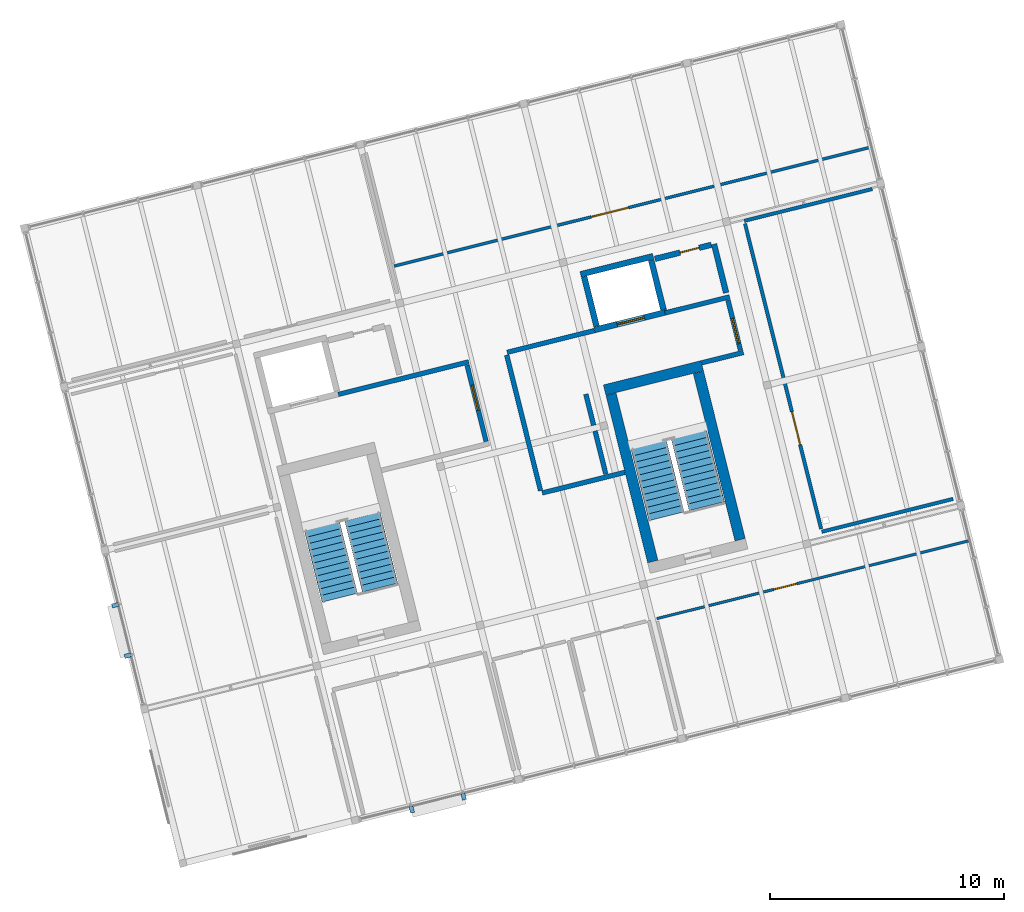
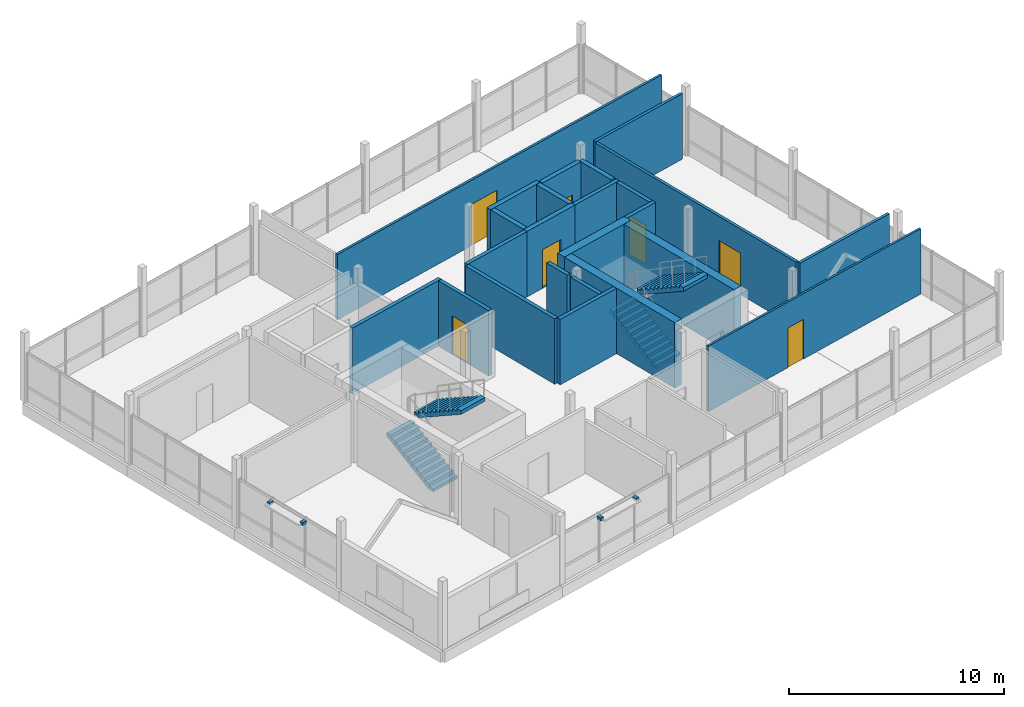
# One storey, part 24 of 25: 24 walls, 7 doors, 4 discrete accessories, 4 stair flights, 7 openings, 2 elements without a shape of their own.
"""IFC4 building model written with IfcOpenShell, lengths in metres."""

import ifcopenshell
import ifcopenshell.guid

model = None  # the IFC model being written
_history = None  # IfcOwnerHistory: only IFC2X3 demands one
_inside = {}  # id of a spatial element -> (the spatial element, [elements in it])
_under = {}  # id of a project, library or spatial element -> (it, [spatial elements below it])
_declared = {}  # id of a project -> (the project, [libraries it declares])
_typed = {}  # id of a type object -> (the type object, [elements of that type])
_made_of = {}  # id of a material, layer set ... -> (it, [elements and type objects made of it])


def new_model(schema):
    """Start an empty IFC model of exactly this schema.

    Asked for "IFC4X3", IfcOpenShell would pick the latest addendum, in which some entities
    have other attributes; the version numbers below select the first issue.
    IFC2X3 requires an IfcOwnerHistory on every rooted entity: one is made here for all.
    """
    global model, _history
    if schema == "IFC4X3":
        model = ifcopenshell.file(schema_version=(4, 3, 0, 0))
    else:
        model = ifcopenshell.file(schema=schema)
    _inside.clear()
    _under.clear()
    _declared.clear()
    _typed.clear()
    _made_of.clear()
    _history = None
    if model.schema == "IFC2X3":
        org = make("IfcOrganization", Name="unknown")
        user = make(
            "IfcPersonAndOrganization",
            ThePerson=make("IfcPerson", FamilyName="unknown"),
            TheOrganization=org,
        )
        app = make(
            "IfcApplication",
            ApplicationDeveloper=org,
            Version="unknown",
            ApplicationFullName="unknown",
            ApplicationIdentifier="unknown",
        )
        _history = make(
            "IfcOwnerHistory",
            OwningUser=user,
            OwningApplication=app,
            ChangeAction="ADDED",
            CreationDate=0,
        )
    return model


def make(cls, **values):
    """One entity of the class cls with the attributes given. An attribute that is None is left unset."""
    return model.create_entity(
        cls, **{name: value for name, value in values.items() if value is not None}
    )


def rooted(cls, **values):
    """An entity with a GlobalId (a new one), such as an element, a storey or a relation."""
    return make(cls, GlobalId=ifcopenshell.guid.new(), OwnerHistory=_history, **values)


def si_unit(unit_type, name, prefix=None):
    """IfcSIUnit, for example si_unit("LENGTHUNIT", "METRE", prefix="MILLI")."""
    return make("IfcSIUnit", UnitType=unit_type, Prefix=prefix, Name=name)


def assignment(units):
    """IfcUnitAssignment: the units of a project."""
    return None if units is None else make("IfcUnitAssignment", Units=units)


def point(xyz):
    """IfcCartesianPoint."""
    return None if xyz is None else make("IfcCartesianPoint", Coordinates=xyz)


def direction(xyz):
    """IfcDirection."""
    return None if xyz is None else make("IfcDirection", DirectionRatios=xyz)


def frame(location, z_axis=None, x_axis=None):
    """IfcAxis2Placement3D, a coordinate frame: its origin and axes. An axis left out is left unset."""
    return make(
        "IfcAxis2Placement3D",
        Location=point(location),
        Axis=direction(z_axis),
        RefDirection=direction(x_axis),
    )


def frame_2d(location, x_axis=None):
    """IfcAxis2Placement2D, a coordinate frame in the plane: its origin and x axis."""
    return make(
        "IfcAxis2Placement2D", Location=point(location), RefDirection=direction(x_axis)
    )


def origin():
    """The frame at (0, 0, 0) with its axes left unset."""
    return frame((0.0, 0.0, 0.0))


def origin_2d():
    """The frame at (0, 0) in the plane with its x axis left unset."""
    return frame_2d((0.0, 0.0))


def place(relative_to, where):
    """IfcLocalPlacement: puts the frame where relative to a parent placement (None: the world)."""
    return make(
        "IfcLocalPlacement", PlacementRelTo=relative_to, RelativePlacement=where
    )


def context(
    kind, dimensions, precision=None, world=None, true_north=None, identifier=None
):
    """IfcGeometricRepresentationContext, for example the 3D "Model" context."""
    return make(
        "IfcGeometricRepresentationContext",
        ContextIdentifier=identifier,
        ContextType=kind,
        CoordinateSpaceDimension=dimensions,
        Precision=precision,
        WorldCoordinateSystem=world,
        TrueNorth=true_north,
    )


def subcontext(parent, identifier, kind, view, scale=None):
    """IfcGeometricRepresentationSubContext, for example "Body" below "Model"."""
    return make(
        "IfcGeometricRepresentationSubContext",
        ContextIdentifier=identifier,
        ContextType=kind,
        ParentContext=parent,
        TargetScale=scale,
        TargetView=view,
    )


def project(units=None, contexts=None):
    """IfcProject with its units and contexts."""
    return rooted(
        "IfcProject",
        Name="project",
        RepresentationContexts=contexts,
        UnitsInContext=assignment(units),
    )


def spatial(cls, under=None, at=None, **own):
    """A site, building, storey or space (cls), placed at a placement, below another one or the project."""
    s = rooted(cls, ObjectPlacement=at, **own)
    if under is not None:
        _under.setdefault(under.id(), (under, []))[1].append(s)
    return s


def polyline(points):
    """IfcPolyline through the points."""
    return make("IfcPolyline", Points=[point(p) for p in points])


def profile(cls, at=None, kind="AREA", **sizes):
    """A parametric profile (cls). Its sizes go by their IFC names, for example OverallWidth=200.0."""
    return make(cls, ProfileType=kind, Position=at, **sizes)


def rectangle(**sizes):
    """IfcRectangleProfileDef."""
    return profile("IfcRectangleProfileDef", **sizes)


def outline(outer, holes=None, kind="AREA"):
    """IfcArbitraryClosedProfileDef: a profile drawn as a closed curve; with holes, ...WithVoids."""
    if holes is None:
        return make("IfcArbitraryClosedProfileDef", ProfileType=kind, OuterCurve=outer)
    return make(
        "IfcArbitraryProfileDefWithVoids",
        ProfileType=kind,
        OuterCurve=outer,
        InnerCurves=holes,
    )


def extrude(swept, where, along, depth):
    """IfcExtrudedAreaSolid: the profile swept, set in the frame where, extruded along a direction by depth."""
    return make(
        "IfcExtrudedAreaSolid",
        SweptArea=swept,
        Position=where,
        ExtrudedDirection=direction(along),
        Depth=depth,
    )


def shape(context_of_items, identifier, shape_type, items):
    """IfcShapeRepresentation: the items that make up one representation, for example the "Body"."""
    return make(
        "IfcShapeRepresentation",
        ContextOfItems=context_of_items,
        RepresentationIdentifier=identifier,
        RepresentationType=shape_type,
        Items=items,
    )


def material(Name=None, Category=None):
    """IfcMaterial."""
    return make("IfcMaterial", Name=Name, Category=Category)


def layer(
    of_material, thickness, ventilated=None, Name=None, Category=None, Priority=None
):
    """IfcMaterialLayer: one layer of a wall or slab, of a material (None: an air gap)."""
    return make(
        "IfcMaterialLayer",
        Material=of_material,
        LayerThickness=thickness,
        IsVentilated=ventilated,
        Name=Name,
        Category=Category,
        Priority=Priority,
    )


def layer_set(layers, Name=None):
    """IfcMaterialLayerSet."""
    return make("IfcMaterialLayerSet", MaterialLayers=layers, LayerSetName=Name)


def made_of(thing, what):
    """Note that an element or type object is made of a material, layer set ...; save() writes the relation."""
    if what is not None:
        _made_of.setdefault(what.id(), (what, []))[1].append(thing)
    return thing


def type_object(cls, material=None, **own):
    """A type object (cls), such as IfcWallType, which elements share."""
    return made_of(rooted(cls, **own), material)


def element(
    cls,
    number,
    at=None,
    inside=None,
    cuts=None,
    type_object=None,
    material=None,
    context=None,
    identifier="Body",
    shape_type=None,
    held_by="IfcProductDefinitionShape",
    body=None,
    shapes=None,
    **own,
):
    """One element of the class cls, such as IfcWall. Its Tag is "e" and its number.

    at: its placement. inside: the storey or other place that contains it. cuts: it is an
    opening in that element (IfcRelVoidsElement). A single representation is given by context,
    identifier, shape_type and body (its items); several are given by shapes. held_by: the class
    of the entity that holds the representations. save() writes the other relations.
    """
    e = rooted(cls, Tag="e%d" % number, ObjectPlacement=at, **own)
    if body is not None:
        shapes = [shape(context, identifier, shape_type, body)]
    if shapes is not None:
        e.Representation = make(held_by, Representations=shapes)
    if inside is not None:
        _inside.setdefault(inside.id(), (inside, []))[1].append(e)
    if cuts is not None:
        rooted(
            "IfcRelVoidsElement", RelatingBuildingElement=cuts, RelatedOpeningElement=e
        )
    if type_object is not None:
        _typed.setdefault(type_object.id(), (type_object, []))[1].append(e)
    return made_of(e, material)


def fill(opening, filler):
    """IfcRelFillsElement: the door or window that sits in an opening."""
    return rooted(
        "IfcRelFillsElement",
        RelatingOpeningElement=opening,
        RelatedBuildingElement=filler,
    )


def aggregate(whole, parts):
    """IfcRelAggregates: a whole, such as a stair, and the parts it consists of."""
    return rooted("IfcRelAggregates", RelatingObject=whole, RelatedObjects=parts)


def save(model, path):
    """Write the relations noted so far, then the file.

    IfcRelAggregates (storeys below a building ...), IfcRelContainedInSpatialStructure (elements
    in a storey), IfcRelDefinesByType, IfcRelAssociatesMaterial and IfcRelDeclares: one each for
    every whole, place, type object, material and project.
    """
    for whole, parts in _under.values():
        aggregate(whole, parts)
    for where, things in _inside.values():
        rooted(
            "IfcRelContainedInSpatialStructure",
            RelatedElements=things,
            RelatingStructure=where,
        )
    for kind, things in _typed.values():
        rooted("IfcRelDefinesByType", RelatedObjects=things, RelatingType=kind)
    for what, things in _made_of.values():
        rooted("IfcRelAssociatesMaterial", RelatedObjects=things, RelatingMaterial=what)
    for by, libraries in _declared.values():
        rooted("IfcRelDeclares", RelatingContext=by, RelatedDefinitions=libraries)
    model.write(path)


model = new_model("IFC4")

# Units and contexts
model_context = context("Model", 3, precision=1e-05, world=origin(), true_north=direction((0.0, 1.0)))
body_context = subcontext(model_context, "Body", "Model", "MODEL_VIEW")
ifc_project = project(units=[si_unit("LENGTHUNIT", "METRE"), si_unit("AREAUNIT", "SQUARE_METRE"), si_unit("VOLUMEUNIT", "CUBIC_METRE"), si_unit("PLANEANGLEUNIT", "RADIAN"), si_unit("MASSUNIT", "GRAM", prefix="KILO")], contexts=[model_context])

# Site, building, storey
site_placement = place(None, origin())
site = spatial("IfcSite", under=ifc_project, at=site_placement, CompositionType="ELEMENT")
building_placement = place(site_placement, origin())
building = spatial("IfcBuilding", under=site, at=building_placement, Name="Meriwether Solvik Hall", CompositionType="ELEMENT")
storey_placement = place(building_placement, frame((0.0, 0.0, 49.5)))
storey = spatial("IfcBuildingStorey", under=building, at=storey_placement, Name="L12", CompositionType="ELEMENT", Elevation=49.5)

# Wall
ifc_material_1 = material(Name="Fire-Rated Type X Gypsum Board", Category="gypsum")
ifc_layer_1 = layer(ifc_material_1, 0.199951171875)
ifc_layer_set_1 = layer_set([ifc_layer_1], Name="Fire-Rated Type X Gypsum Board")
wall_type_1 = type_object("IfcWallType", Name="WALL-FIRE-200", PredefinedType="STANDARD", material=ifc_layer_set_1)
wall_1_placement = place(storey_placement, frame((75.24609375, 61.25341796875, 0.0), z_axis=(0.0, 0.0, 1.0), x_axis=(0.970292173201, 0.24193614576, 0.0)))
element("IfcWall", 1, at=wall_1_placement, inside=storey, type_object=wall_type_1, Name="L12 Interior Partition lb1_n_cap", PredefinedType="STANDARD", context=body_context, shape_type="SweptSolid", body=[
    extrude(rectangle(XDim=5.75, YDim=0.199951171875, at=frame_2d((2.875, 0.0))), origin(), (0.0, 0.0, 1.0), 3.719970703125),
])

# Wall, opening, door
wall_2_placement = place(storey_placement, frame((80.75732421875, 62.50390625, 0.0), z_axis=(0.0, 0.0, 1.0), x_axis=(0.241885902723, -0.970304699599, 0.0)))
wall_2 = element("IfcWall", 2, at=wall_2_placement, inside=storey, type_object=wall_type_1, Name="L12 Interior Partition lb1_e", PredefinedType="STANDARD", context=body_context, shape_type="SweptSolid", body=[
    extrude(rectangle(XDim=3.360107421875, YDim=0.199951171875, at=frame_2d((1.68017578125, 0.0))), origin(), (0.0, 0.0, 1.0), 3.719970703125),
])
opening_1_placement = place(wall_2_placement, frame((0.889892578125, 0.0, 0.0)))
opening_1 = element("IfcOpeningElement", 3, at=opening_1_placement, cuts=wall_2, Name="Opening D-168", PredefinedType="OPENING", context=body_context, shape_type="SweptSolid", body=[
    extrude(rectangle(XDim=1.10009765625, YDim=2.199951171875, at=frame_2d((0.550048828125, 1.10009765625))), frame((0.0, 0.11181640625, 0.0), z_axis=(0.0, -1.0, 0.0), x_axis=(1.0, 0.0, 0.0)), (0.0, 0.0, 1.0), 0.223876953125),
])
ifc_material_2 = material(Name="Steel A36 Galvanised", Category="steel")
door_type_1 = type_object("IfcDoorType", Name="DR-FD60-1100L", OperationType="SINGLE_SWING_LEFT", PredefinedType="DOOR", material=ifc_material_2)
door_1_placement = place(opening_1_placement, origin())
door_1 = element("IfcDoor", 4, at=door_1_placement, inside=storey, type_object=door_type_1, Name="West FSAE Lift Lobby Door (L12)", OperationType="SINGLE_SWING_LEFT", OverallHeight=2.199951171875, OverallWidth=1.10009765625, PredefinedType="DOOR", context=body_context, shape_type="SweptSolid", body=[
    extrude(rectangle(XDim=1.10009765625, YDim=2.199951171875, at=frame_2d((0.550048828125, 1.10009765625))), frame((0.0, 0.02490234375, 0.0), z_axis=(0.0, -1.0, 0.0), x_axis=(1.0, 0.0, 0.0)), (0.0, 0.0, 1.0), 0.050048828125),
])
fill(opening_1, door_1)

# Walls
wall_3_placement = place(storey_placement, frame((82.452880859375, 62.93701171875, 0.0), z_axis=(0.0, 0.0, 1.0), x_axis=(0.241891967324, -0.970303187743, 0.0)))
element("IfcWall", 5, at=wall_3_placement, inside=storey, type_object=wall_type_1, Name="L12 Interior Partition lb2_w", PredefinedType="STANDARD", context=body_context, shape_type="SweptSolid", body=[
    extrude(rectangle(XDim=5.97998046875, YDim=0.199951171875, at=frame_2d((2.989990234375, 0.0))), origin(), (0.0, 0.0, 1.0), 3.719970703125),
])
wall_4_placement = place(storey_placement, frame((83.972412109375, 57.03955078125, 0.0), z_axis=(0.0, 0.0, 1.0), x_axis=(0.97030000841, 0.241904720251, 0.0)))
element("IfcWall", 6, at=wall_4_placement, inside=storey, type_object=wall_type_1, Name="L12 Interior Partition lb2_s_w", PredefinedType="STANDARD", context=body_context, shape_type="SweptSolid", body=[
    extrude(rectangle(XDim=3.642333984375, YDim=0.199951171875, at=frame_2d((1.8212890625, 0.0))), origin(), (0.0, 0.0, 1.0), 3.719970703125),
])
wall_5_placement = place(storey_placement, frame((86.691650390625, 57.841064453125, 0.0), z_axis=(0.0, 0.0, 1.0), x_axis=(-0.241992731984, 0.970278062035, 0.0)))
element("IfcWall", 7, at=wall_5_placement, inside=storey, type_object=wall_type_1, Name="L12 Interior Partition lb2_e_low", PredefinedType="STANDARD", context=body_context, shape_type="SweptSolid", body=[
    extrude(rectangle(XDim=1.90478515625, YDim=0.199951171875, at=frame_2d((0.952392578125, 0.0))), origin(), (0.0, 0.0, 1.0), 3.719970703125),
])
wall_6_placement = place(storey_placement, frame((86.169921875, 59.932861328125, 0.0), z_axis=(0.0, 0.0, 1.0), x_axis=(-0.241824833036, 0.970319921535, 0.0)))
element("IfcWall", 8, at=wall_6_placement, inside=storey, type_object=wall_type_1, Name="L12 Interior Partition lb2_e_low_s2", PredefinedType="STANDARD", context=body_context, shape_type="SweptSolid", body=[
    extrude(rectangle(XDim=1.3740234375, YDim=0.199951171875, at=frame_2d((0.68701171875, 0.0))), origin(), (0.0, 0.0, 1.0), 3.719970703125),
])
wall_7_placement = place(storey_placement, frame((82.47265625, 63.05517578125, 0.0), z_axis=(0.0, 0.0, 1.0), x_axis=(0.970284368558, 0.241967444366, 0.0)))
element("IfcWall", 9, at=wall_7_placement, inside=storey, type_object=wall_type_1, Name="L12 Interior Partition lb2_n_cap_w", PredefinedType="STANDARD", context=body_context, shape_type="SweptSolid", body=[
    extrude(rectangle(XDim=3.84228515625, YDim=0.199951171875, at=frame_2d((1.921142578125, 0.0))), origin(), (0.0, 0.0, 1.0), 3.719970703125),
])
wall_8_placement = place(storey_placement, frame((90.791015625, 62.604248046875, 0.0), z_axis=(0.0, 0.0, 1.0), x_axis=(0.970306180373, 0.241879962645, 0.0)))
element("IfcWall", 10, at=wall_8_placement, inside=storey, type_object=wall_type_1, Name="L12 Interior Partition lb2_s", PredefinedType="STANDARD", context=body_context, shape_type="SweptSolid", body=[
    extrude(rectangle(XDim=1.840087890625, YDim=0.199951171875, at=frame_2d((0.919921875, 0.0))), origin(), (0.0, 0.0, 1.0), 3.719970703125),
])
wall_9_placement = place(storey_placement, frame((89.21826171875, 64.737060546875, 0.0), z_axis=(0.0, 0.0, 1.0), x_axis=(0.97027839681, 0.241991389687, 0.0)))
element("IfcWall", 11, at=wall_9_placement, inside=storey, type_object=wall_type_1, Name="L12 Interior Partition lb2_n_cap", PredefinedType="STANDARD", context=body_context, shape_type="SweptSolid", body=[
    extrude(rectangle(XDim=2.85009765625, YDim=0.199951171875, at=frame_2d((1.425048828125, 0.0))), origin(), (0.0, 0.0, 1.0), 3.719970703125),
])

# Wall, opening, door
wall_10_placement = place(storey_placement, frame((91.91552734375, 65.2861328125, 0.0), z_axis=(0.0, 0.0, 1.0), x_axis=(0.241911789465, -0.970298245963, 0.0)))
wall_10 = element("IfcWall", 12, at=wall_10_placement, inside=storey, type_object=wall_type_1, Name="L12 Interior Partition lb2_e", PredefinedType="STANDARD", context=body_context, shape_type="SweptSolid", body=[
    extrude(rectangle(XDim=2.210205078125, YDim=0.199951171875, at=frame_2d((1.10498046875, 0.0))), origin(), (0.0, 0.0, 1.0), 3.719970703125),
])
opening_2_placement = place(wall_10_placement, frame((0.81005859375, 0.0, 0.0)))
opening_2 = element("IfcOpeningElement", 13, at=opening_2_placement, cuts=wall_10, Name="Opening D-168", PredefinedType="OPENING", context=body_context, shape_type="SweptSolid", body=[
    extrude(rectangle(XDim=1.10009765625, YDim=2.199951171875, at=frame_2d((0.550048828125, 1.10009765625))), frame((0.0, 0.11181640625, 0.0), z_axis=(0.0, -1.0, 0.0), x_axis=(1.0, 0.0, 0.0)), (0.0, 0.0, 1.0), 0.223876953125),
])
door_2_placement = place(opening_2_placement, origin())
door_2 = element("IfcDoor", 14, at=door_2_placement, inside=storey, type_object=door_type_1, Name="East FSAE Lift Lobby Door (L12)", OperationType="SINGLE_SWING_LEFT", OverallHeight=2.199951171875, OverallWidth=1.10009765625, PredefinedType="DOOR", context=body_context, shape_type="SweptSolid", body=[
    extrude(rectangle(XDim=1.10009765625, YDim=2.199951171875, at=frame_2d((0.550048828125, 1.10009765625))), frame((0.0, 0.02490234375, 0.0), z_axis=(0.0, -1.0, 0.0), x_axis=(1.0, 0.0, 0.0)), (0.0, 0.0, 1.0), 0.050048828125),
])
fill(opening_2, door_2)

ifc_material_3 = material(Name="Tempered Laminated Glass in Anodised Aluminium Frame", Category="aluminium")
ifc_layer_2 = layer(ifc_material_3, 0.112060546875)
ifc_layer_set_2 = layer_set([ifc_layer_2], Name="Tempered Laminated Glass in Anodised Aluminium Frame")
wall_type_2 = type_object("IfcWallType", Name="WALL-GLZ-112", PredefinedType="PARTITIONING", material=ifc_layer_set_2)
wall_11_placement = place(storey_placement, frame((102.202392578125, 54.98876953125, 0.0), z_axis=(0.0, 0.0, 1.0), x_axis=(-0.970296992455, -0.241916817175, 0.0)))
wall_11 = element("IfcWall", 15, at=wall_11_placement, inside=storey, type_object=wall_type_2, Name="L12 Interior Partition off_12se_n", PredefinedType="PARTITIONING", context=body_context, shape_type="SweptSolid", body=[
    extrude(rectangle(XDim=13.740234375, YDim=0.112060546875, at=frame_2d((6.8701171875, 0.0))), origin(), (0.0, 0.0, 1.0), 3.719970703125),
])
opening_3_placement = place(wall_11_placement, frame((7.577880859375, 0.0, 0.0)))
opening_3 = element("IfcOpeningElement", 16, at=opening_3_placement, cuts=wall_11, Name="Opening D-166", PredefinedType="OPENING", context=body_context, shape_type="SweptSolid", body=[
    extrude(rectangle(XDim=1.0, YDim=2.25, at=frame_2d((0.5, 1.125))), frame((0.0, 0.06787109375, 0.0), z_axis=(0.0, -1.0, 0.0), x_axis=(1.0, 0.0, 0.0)), (0.0, 0.0, 1.0), 0.135986328125),
])
ifc_material_4 = material(Name="Laminated Vision Glass and Solid White Oak Timber", Category="wood")
door_type_2 = type_object("IfcDoorType", Name="DR-OFF-1000L", OperationType="SINGLE_SWING_LEFT", PredefinedType="DOOR", material=ifc_material_4)
door_3_placement = place(opening_3_placement, origin())
door_3 = element("IfcDoor", 17, at=door_3_placement, inside=storey, type_object=door_type_2, Name="L12 South Executive Office Door", OperationType="SINGLE_SWING_LEFT", OverallHeight=2.25, OverallWidth=1.0, PredefinedType="DOOR", context=body_context, shape_type="SweptSolid", body=[
    extrude(rectangle(XDim=1.0, YDim=2.25, at=frame_2d((0.5, 1.125))), frame((0.0, 0.02490234375, 0.0), z_axis=(0.0, -1.0, 0.0), x_axis=(1.0, 0.0, 0.0)), (0.0, 0.0, 1.0), 0.050048828125),
])
fill(opening_3, door_3)

# Walls
ifc_material_5 = material(Name="Concrete C40/50", Category="concrete")
ifc_layer_3 = layer(ifc_material_5, 0.25)
ifc_layer_set_3 = layer_set([ifc_layer_3], Name="Concrete C40/50")
wall_type_3 = type_object("IfcWallType", Name="WALL-HOIST-250", PredefinedType="SHEAR", material=ifc_layer_set_3)
wall_12_placement = place(storey_placement, frame((88.716552734375, 67.162841796875, 0.0), z_axis=(0.0, 0.0, 1.0), x_axis=(-0.970294894235, -0.241925232711, 0.0)))
element("IfcWall", 18, at=wall_12_placement, inside=storey, type_object=wall_type_3, Name="Hoistway BANK2 North Wall (L12)", PredefinedType="SHEAR", context=body_context, shape_type="SweptSolid", body=[
    extrude(rectangle(XDim=3.199951171875, YDim=0.25, at=frame_2d((1.60009765625, 0.0))), origin(), (0.0, 0.0, 1.0), 3.719970703125),
])
for number, where, z_axis, x_axis, name in (
    (19, (85.765625, 66.287841796875, 0.0), (0.0, 0.0, 1.0), (0.241903146974, -0.970300400641, 0.0), "Hoistway BANK2 West Wall (L12)"),
    (20, (89.1552734375, 64.886474609375, 0.0), (0.0, 0.0, 1.0), (-0.241903146974, 0.970300400641, 0.0), "Hoistway BANK2 East Wall (L12)"),
):
    element("IfcWall", number, at=place(storey_placement, frame(where, z_axis=z_axis, x_axis=x_axis)), inside=storey, type_object=wall_type_3, Name=name, PredefinedType="SHEAR", context=body_context, shape_type="SweptSolid", body=[
        extrude(rectangle(XDim=2.179931640625, YDim=0.25, at=frame_2d((1.08984375, 0.0))), origin(), (0.0, 0.0, 1.0), 3.719970703125),
    ])

# Wall, opening, door
wall_13_placement = place(storey_placement, frame((86.204345703125, 64.011474609375, 0.0), z_axis=(0.0, 0.0, 1.0), x_axis=(0.970294894235, 0.241925232711, 0.0)))
wall_13 = element("IfcWall", 21, at=wall_13_placement, inside=storey, type_object=wall_type_3, Name="Lift LF-02 Landing Wall (L12)", PredefinedType="SHEAR", context=body_context, shape_type="SweptSolid", body=[
    extrude(rectangle(XDim=3.199951171875, YDim=0.25, at=frame_2d((1.60009765625, 0.0))), origin(), (0.0, 0.0, 1.0), 3.719970703125),
])
opening_4_placement = place(wall_13_placement, frame((1.0, 0.0, 0.0)))
opening_4 = element("IfcOpeningElement", 22, at=opening_4_placement, cuts=wall_13, Name="Opening LD-02", PredefinedType="OPENING", context=body_context, shape_type="SweptSolid", body=[
    extrude(rectangle(XDim=1.199951171875, YDim=2.199951171875, at=frame_2d((0.60009765625, 1.10009765625))), frame((0.0, 0.136962890625, 0.0), z_axis=(0.0, -1.0, 0.0), x_axis=(1.0, 0.0, 0.0)), (0.0, 0.0, 1.0), 0.27392578125),
])
ifc_material_6 = material(Name="Stainless Steel AISI 316", Category="steel")
door_type_3 = type_object("IfcDoorType", Name="DR-LIFT-FSAE", OperationType="DOUBLE_DOOR_SLIDING", PredefinedType="DOOR", material=ifc_material_6)
door_4_placement = place(opening_4_placement, origin())
door_4 = element("IfcDoor", 23, at=door_4_placement, inside=storey, type_object=door_type_3, Name="Lift Landing Door LF-02 (L12)", OperationType="DOUBLE_DOOR_SLIDING", OverallHeight=2.199951171875, OverallWidth=1.199951171875, PredefinedType="DOOR", context=body_context, shape_type="SweptSolid", body=[
    extrude(rectangle(XDim=1.199951171875, YDim=2.199951171875, at=frame_2d((0.60009765625, 1.10009765625))), frame((0.0, 0.02490234375, 0.0), z_axis=(0.0, -1.0, 0.0), x_axis=(1.0, 0.0, 0.0)), (0.0, 0.0, 1.0), 0.050048828125),
])
fill(opening_4, door_4)

ifc_material_7 = material(Name="Gypsum Board Partition", Category="gypsum")
ifc_layer_4 = layer(ifc_material_7, 0.125)
ifc_layer_set_4 = layer_set([ifc_layer_4], Name="Gypsum Board Partition")
wall_type_4 = type_object("IfcWallType", Name="WALL-PART-125", PredefinedType="PARTITIONING", material=ifc_layer_set_4)
wall_14_placement = place(storey_placement, frame((77.638427734375, 66.745361328125, 0.0), z_axis=(0.0, 0.0, 1.0), x_axis=(0.970296248646, 0.241919800477, 0.0)))
wall_14 = element("IfcWall", 24, at=wall_14_placement, inside=storey, type_object=wall_type_4, Name="L12 Interior Partition off_12n2_s", PredefinedType="PARTITIONING", context=body_context, shape_type="SweptSolid", body=[
    extrude(rectangle(XDim=20.989990234375, YDim=0.125, at=frame_2d((10.4951171875, 0.0))), origin(), (0.0, 0.0, 1.0), 3.719970703125),
])
opening_5_placement = place(wall_14_placement, frame((8.68115234375, 0.0, 0.0)))
opening_5 = element("IfcOpeningElement", 25, at=opening_5_placement, cuts=wall_14, Name="Opening D-137", PredefinedType="OPENING", context=body_context, shape_type="SweptSolid", body=[
    extrude(rectangle(XDim=1.64990234375, YDim=2.35009765625, at=frame_2d((0.824951171875, 1.175048828125))), frame((0.0, 0.074462890625, 0.0), z_axis=(0.0, -1.0, 0.0), x_axis=(1.0, 0.0, 0.0)), (0.0, 0.0, 1.0), 0.14892578125),
])
ifc_material_8 = material(Name="Laminated Vision Glass and Solid White Oak Timber", Category="wood")
door_type_4 = type_object("IfcDoorType", Name="DR-INT-1650", OperationType="DOUBLE_DOOR_SINGLE_SWING", PredefinedType="DOOR", material=ifc_material_8)
door_5_placement = place(opening_5_placement, origin())
door_5 = element("IfcDoor", 26, at=door_5_placement, inside=storey, type_object=door_type_4, Name="L12 Upper Tower Research Workplace Door", OperationType="DOUBLE_DOOR_SINGLE_SWING", OverallHeight=2.35009765625, OverallWidth=1.64990234375, PredefinedType="DOOR", context=body_context, shape_type="SweptSolid", body=[
    extrude(rectangle(XDim=1.64990234375, YDim=2.35009765625, at=frame_2d((0.824951171875, 1.175048828125))), frame((0.0, 0.02490234375, 0.0), z_axis=(0.0, -1.0, 0.0), x_axis=(1.0, 0.0, 0.0)), (0.0, 0.0, 1.0), 0.050048828125),
])
fill(opening_5, door_5)

# Walls
ifc_material_9 = material(Name="Gypsum Board Partition", Category="gypsum")
ifc_layer_5 = layer(ifc_material_9, 0.14990234375)
ifc_layer_set_5 = layer_set([ifc_layer_5], Name="Gypsum Board Partition")
wall_type_5 = type_object("IfcWallType", Name="WALL-PART-150", PredefinedType="PARTITIONING", material=ifc_layer_set_5)
wall_15_placement = place(storey_placement, frame((95.9306640625, 55.38330078125, 0.0), z_axis=(0.0, 0.0, 1.0), x_axis=(0.97029864505, 0.241910188735, 0.0)))
element("IfcWall", 27, at=wall_15_placement, inside=storey, type_object=wall_type_5, Name="L12 Interior Partition off_12e_s", PredefinedType="PARTITIONING", context=body_context, shape_type="SweptSolid", body=[
    extrude(rectangle(XDim=5.786865234375, YDim=0.14990234375, at=frame_2d((2.8935546875, 0.0))), origin(), (0.0, 0.0, 1.0), 3.719970703125),
])
wall_16_placement = place(storey_placement, frame((98.08544921875, 70.039794921875, 0.0), z_axis=(0.0, 0.0, 1.0), x_axis=(-0.970300259832, -0.241903711774, 0.0)))
element("IfcWall", 28, at=wall_16_placement, inside=storey, type_object=wall_type_5, Name="L12 Interior Partition off_12e_n", PredefinedType="PARTITIONING", context=body_context, shape_type="SweptSolid", body=[
    extrude(rectangle(XDim=5.63671875, YDim=0.14990234375, at=frame_2d((2.818359375, 0.0))), origin(), (0.0, 0.0, 1.0), 3.719970703125),
])

# Wall, opening, door
wall_17_placement = place(storey_placement, frame((92.645263671875, 68.559814453125, 0.0), z_axis=(0.0, 0.0, 1.0), x_axis=(0.241925285076, -0.970294881178, 0.0)))
wall_17 = element("IfcWall", 29, at=wall_17_placement, inside=storey, type_object=wall_type_5, Name="L12 Interior Partition off_12e_w", PredefinedType="PARTITIONING", context=body_context, shape_type="SweptSolid", body=[
    extrude(rectangle(XDim=13.460205078125, YDim=0.14990234375, at=frame_2d((6.72998046875, 0.0))), origin(), (0.0, 0.0, 1.0), 3.719970703125),
])
opening_6_placement = place(wall_17_placement, frame((8.300537109375, 0.0, 0.0)))
opening_6 = element("IfcOpeningElement", 30, at=opening_6_placement, cuts=wall_17, Name="Opening D-152", PredefinedType="OPENING", context=body_context, shape_type="SweptSolid", body=[
    extrude(rectangle(XDim=1.449951171875, YDim=2.35009765625, at=frame_2d((0.72509765625, 1.175048828125))), frame((0.0, 0.0869140625, 0.0), z_axis=(0.0, -1.0, 0.0), x_axis=(1.0, 0.0, 0.0)), (0.0, 0.0, 1.0), 0.173828125),
])
ifc_material_10 = material(Name="Laminated Vision Glass and Solid White Oak Timber", Category="wood")
door_type_5 = type_object("IfcDoorType", Name="DR-CONF-1450", OperationType="DOUBLE_DOOR_SINGLE_SWING", PredefinedType="DOOR", material=ifc_material_10)
door_6_placement = place(opening_6_placement, origin())
door_6 = element("IfcDoor", 31, at=door_6_placement, inside=storey, type_object=door_type_5, Name="L12 East Panoramic Boardroom Door", OperationType="DOUBLE_DOOR_SINGLE_SWING", OverallHeight=2.35009765625, OverallWidth=1.449951171875, PredefinedType="DOOR", context=body_context, shape_type="SweptSolid", body=[
    extrude(rectangle(XDim=1.449951171875, YDim=2.35009765625, at=frame_2d((0.72509765625, 1.175048828125))), frame((0.0, 0.02490234375, 0.0), z_axis=(0.0, -1.0, 0.0), x_axis=(1.0, 0.0, 0.0)), (0.0, 0.0, 1.0), 0.050048828125),
])
fill(opening_6, door_6)

# Walls
ifc_material_11 = material(Name="Concrete C45/55", Category="concrete")
ifc_layer_6 = layer(ifc_material_11, 0.449951171875)
ifc_layer_set_6 = layer_set([ifc_layer_6], Name="Concrete C45/55")
wall_type_6 = type_object("IfcWallType", Name="WALL-RC-450", PredefinedType="SHEAR", material=ifc_layer_set_6)
wall_18_placement = place(storey_placement, frame((90.8115234375, 62.48046875, 0.0), z_axis=(0.0, 0.0, 1.0), x_axis=(-0.970309259708, -0.2418676095, 0.0)))
element("IfcWall", 32, at=wall_18_placement, inside=storey, type_object=wall_type_6, Name="CORE-2 Shear Wall N (L12)", PredefinedType="SHEAR", context=body_context, shape_type="SweptSolid", body=[
    extrude(rectangle(XDim=4.300048828125, YDim=0.449951171875, at=frame_2d((2.14990234375, 0.0))), origin(), (0.0, 0.0, 1.0), 3.719970703125),
])
for number, where, z_axis, x_axis, name in (
    (33, (86.91455078125, 61.266845703125, 0.0), (0.0, 0.0, 1.0), (0.241889515465, -0.970303798976, 0.0), "CORE-2 Shear Wall W (L12)"),
    (34, (92.435546875, 55.037353515625, 0.0), (0.0, 0.0, 1.0), (-0.241920660665, 0.970296034179, 0.0), "CORE-2 Shear Wall E (L12)"),
):
    element("IfcWall", number, at=place(storey_placement, frame(where, z_axis=z_axis, x_axis=x_axis)), inside=storey, type_object=wall_type_6, Name=name, PredefinedType="SHEAR", context=body_context, shape_type="SweptSolid", body=[
        extrude(rectangle(XDim=7.380126953125, YDim=0.449951171875, at=frame_2d((3.68994140625, 0.0))), origin(), (0.0, 0.0, 1.0), 3.719970703125),
    ])
ifc_material_12 = material(Name="Concrete C35/45", Category="concrete")
ifc_layer_7 = layer(ifc_material_12, 0.239990234375)
ifc_layer_set_7 = layer_set([ifc_layer_7], Name="Concrete C35/45")
wall_type_7 = type_object("IfcWallType", Name="WALL-SHAFT-240", PredefinedType="STANDARD", material=ifc_layer_set_7)
wall_19_placement = place(storey_placement, frame((91.838134765625, 65.596435546875, 0.0), z_axis=(0.0, 0.0, 1.0), x_axis=(-0.2418676095, 0.970309259708, 0.0)))
element("IfcWall", 35, at=wall_19_placement, inside=storey, type_object=wall_type_7, Name="L12 Interior Partition riser2_e", PredefinedType="STANDARD", context=body_context, shape_type="SweptSolid", body=[
    extrude(rectangle(XDim=2.14990234375, YDim=0.239990234375, at=frame_2d((1.074951171875, 0.0))), origin(), (0.0, 0.0, 1.0), 3.719970703125),
])

# Wall, opening, door
wall_20_placement = place(storey_placement, frame((91.20166015625, 67.653564453125, 0.0), z_axis=(0.0, 0.0, 1.0), x_axis=(-0.970304433136, -0.241886971613, 0.0)))
wall_20 = element("IfcWall", 36, at=wall_20_placement, inside=storey, type_object=wall_type_7, Name="L12 Interior Partition riser2_n", PredefinedType="STANDARD", context=body_context, shape_type="SweptSolid", body=[
    extrude(rectangle(XDim=2.47998046875, YDim=0.239990234375, at=frame_2d((1.239990234375, 0.0))), origin(), (0.0, 0.0, 1.0), 3.719970703125),
])
opening_7_placement = place(wall_20_placement, frame((0.530029296875, 0.0, 0.0)))
opening_7 = element("IfcOpeningElement", 37, at=opening_7_placement, cuts=wall_20, Name="Opening D-186", PredefinedType="OPENING", context=body_context, shape_type="SweptSolid", body=[
    extrude(rectangle(XDim=0.85009765625, YDim=2.10009765625, at=frame_2d((0.425048828125, 1.050048828125))), frame((0.0, 0.1318359375, 0.0), z_axis=(0.0, -1.0, 0.0), x_axis=(1.0, 0.0, 0.0)), (0.0, 0.0, 1.0), 0.263916015625),
])
ifc_material_13 = material(Name="Steel A36 Galvanised", Category="steel")
door_type_6 = type_object("IfcDoorType", Name="DR-FD60-850R", OperationType="SINGLE_SWING_RIGHT", PredefinedType="DOOR", material=ifc_material_13)
door_7_placement = place(opening_7_placement, origin())
door_7 = element("IfcDoor", 38, at=door_7_placement, inside=storey, type_object=door_type_6, Name="Electrical Riser Closet Door (L12)", OperationType="SINGLE_SWING_RIGHT", OverallHeight=2.10009765625, OverallWidth=0.85009765625, PredefinedType="DOOR", context=body_context, shape_type="SweptSolid", body=[
    extrude(rectangle(XDim=0.85009765625, YDim=2.10009765625, at=frame_2d((0.425048828125, 1.050048828125))), frame((0.0, 0.02490234375, 0.0), z_axis=(0.0, -1.0, 0.0), x_axis=(1.0, 0.0, 0.0)), (0.0, 0.0, 1.0), 0.050048828125),
])
fill(opening_7, door_7)

# Stair, stair flights
ifc_material_14 = material(Name="Concrete C40/50", Category="concrete")
stair_type = type_object("IfcStairType", Name="STR-CORE-DOGLEG-A", PredefinedType="TWO_STRAIGHT_RUN_STAIR", material=ifc_material_14)
stair_1_placement = place(storey_placement, origin())
stair_1 = element("IfcStair", 39, at=stair_1_placement, inside=storey, type_object=stair_type, Name="Exit Stair ST-01 (L12)", PredefinedType="TWO_STRAIGHT_RUN_STAIR")
ifc_material_15 = material(Name="Concrete C40/50", Category="concrete")
stair_flight_type = type_object("IfcStairFlightType", Name="SFL-RC-156", PredefinedType="STRAIGHT", material=ifc_material_15)
stair_flight_1_placement = place(storey_placement, frame((75.310791015625, 52.56103515625, 0.0), z_axis=(0.0, 0.0, 1.0), x_axis=(-0.2419218956, 0.970295726276, 0.0)))
stair_flight_1 = element("IfcStairFlight", 40, at=stair_flight_1_placement, type_object=stair_flight_type, Name="Stair ST-01 Lower Flight (L12)", NumberOfRisers=12, NumberOfTreads=11, PredefinedType="STRAIGHT", RiserHeight=0.1625, TreadLength=0.285, context=body_context, shape_type="SweptSolid", body=[
    extrude(outline(polyline([(0.0, 0.0), (0.0, 0.16259765625), (0.284912109375, 0.16259765625), (0.284912109375, 0.324951171875), (0.570068359375, 0.324951171875), (0.570068359375, 0.487548828125), (0.85498046875, 0.487548828125), (0.85498046875, 0.64990234375), (1.139892578125, 0.64990234375), (1.139892578125, 0.8125), (1.425048828125, 0.8125), (1.425048828125, 0.97509765625), (1.7099609375, 0.97509765625), (1.7099609375, 1.137451171875), (1.9951171875, 1.137451171875), (1.9951171875, 1.300048828125), (2.280029296875, 1.300048828125), (2.280029296875, 1.46240234375), (2.56494140625, 1.46240234375), (2.56494140625, 1.625), (2.85009765625, 1.625), (2.85009765625, 1.78759765625), (3.135009765625, 1.78759765625), (3.135009765625, 1.949951171875), (3.135009765625, 1.580322265625), (0.36328125, 0.0), (0.0, 0.0)])), frame((0.0, 0.780029296875, 0.0), z_axis=(0.0, -1.0, 0.0), x_axis=(1.0, 0.0, 0.0)), (0.0, 0.0, 1.0), 1.56005859375),
])
stair_flight_2_placement = place(storey_placement, frame((76.279541015625, 56.033447265625, 1.949951171875), z_axis=(0.0, 0.0, 1.0), x_axis=(0.2419218956, -0.970295726276, 0.0)))
stair_flight_2 = element("IfcStairFlight", 41, at=stair_flight_2_placement, type_object=stair_flight_type, Name="Stair ST-01 Upper Flight (L12)", NumberOfRisers=12, NumberOfTreads=11, PredefinedType="STRAIGHT", RiserHeight=0.1625, TreadLength=0.285, context=body_context, shape_type="SweptSolid", body=[
    extrude(outline(polyline([(0.0, 0.0), (0.0, 0.16259765625), (0.284912109375, 0.16259765625), (0.284912109375, 0.324951171875), (0.570068359375, 0.324951171875), (0.570068359375, 0.487548828125), (0.85498046875, 0.487548828125), (0.85498046875, 0.64990234375), (1.139892578125, 0.64990234375), (1.139892578125, 0.8125), (1.425048828125, 0.8125), (1.425048828125, 0.97509765625), (1.7099609375, 0.97509765625), (1.7099609375, 1.137451171875), (1.9951171875, 1.137451171875), (1.9951171875, 1.300048828125), (2.280029296875, 1.300048828125), (2.280029296875, 1.46240234375), (2.56494140625, 1.46240234375), (2.56494140625, 1.625), (2.85009765625, 1.625), (2.85009765625, 1.78759765625), (3.135009765625, 1.78759765625), (3.135009765625, 1.949951171875), (3.135009765625, 1.580322265625), (0.36328125, 0.0), (0.0, 0.0)])), frame((0.0, 0.780029296875, 0.0), z_axis=(0.0, -1.0, 0.0), x_axis=(1.0, 0.0, 0.0)), (0.0, 0.0, 1.0), 1.56005859375),
])
aggregate(stair_1, [stair_flight_1, stair_flight_2])

stair_2_placement = place(storey_placement, origin())
stair_2 = element("IfcStair", 42, at=stair_2_placement, inside=storey, type_object=stair_type, Name="Exit Stair ST-02 (L12)", PredefinedType="TWO_STRAIGHT_RUN_STAIR")
stair_flight_3_placement = place(storey_placement, frame((89.283203125, 56.044677734375, 0.0), z_axis=(0.0, 0.0, 1.0), x_axis=(-0.2419218956, 0.970295726276, 0.0)))
stair_flight_3 = element("IfcStairFlight", 43, at=stair_flight_3_placement, type_object=stair_flight_type, Name="Stair ST-02 Lower Flight (L12)", NumberOfRisers=12, NumberOfTreads=11, PredefinedType="STRAIGHT", RiserHeight=0.1625, TreadLength=0.285, context=body_context, shape_type="SweptSolid", body=[
    extrude(outline(polyline([(0.0, 0.0), (0.0, 0.16259765625), (0.284912109375, 0.16259765625), (0.284912109375, 0.324951171875), (0.570068359375, 0.324951171875), (0.570068359375, 0.487548828125), (0.85498046875, 0.487548828125), (0.85498046875, 0.64990234375), (1.139892578125, 0.64990234375), (1.139892578125, 0.8125), (1.425048828125, 0.8125), (1.425048828125, 0.97509765625), (1.7099609375, 0.97509765625), (1.7099609375, 1.137451171875), (1.9951171875, 1.137451171875), (1.9951171875, 1.300048828125), (2.280029296875, 1.300048828125), (2.280029296875, 1.46240234375), (2.56494140625, 1.46240234375), (2.56494140625, 1.625), (2.85009765625, 1.625), (2.85009765625, 1.78759765625), (3.135009765625, 1.78759765625), (3.135009765625, 1.949951171875), (3.135009765625, 1.580322265625), (0.36328125, 0.0), (0.0, 0.0)])), frame((0.0, 0.780029296875, 0.0), z_axis=(0.0, -1.0, 0.0), x_axis=(1.0, 0.0, 0.0)), (0.0, 0.0, 1.0), 1.56005859375),
])
stair_flight_4_placement = place(storey_placement, frame((90.251953125, 59.51708984375, 1.949951171875), z_axis=(0.0, 0.0, 1.0), x_axis=(0.2419218956, -0.970295726276, 0.0)))
stair_flight_4 = element("IfcStairFlight", 44, at=stair_flight_4_placement, type_object=stair_flight_type, Name="Stair ST-02 Upper Flight (L12)", NumberOfRisers=12, NumberOfTreads=11, PredefinedType="STRAIGHT", RiserHeight=0.1625, TreadLength=0.285, context=body_context, shape_type="SweptSolid", body=[
    extrude(outline(polyline([(0.0, 0.0), (0.0, 0.16259765625), (0.284912109375, 0.16259765625), (0.284912109375, 0.324951171875), (0.570068359375, 0.324951171875), (0.570068359375, 0.487548828125), (0.85498046875, 0.487548828125), (0.85498046875, 0.64990234375), (1.139892578125, 0.64990234375), (1.139892578125, 0.8125), (1.425048828125, 0.8125), (1.425048828125, 0.97509765625), (1.7099609375, 0.97509765625), (1.7099609375, 1.137451171875), (1.9951171875, 1.137451171875), (1.9951171875, 1.300048828125), (2.280029296875, 1.300048828125), (2.280029296875, 1.46240234375), (2.56494140625, 1.46240234375), (2.56494140625, 1.625), (2.85009765625, 1.625), (2.85009765625, 1.78759765625), (3.135009765625, 1.78759765625), (3.135009765625, 1.949951171875), (3.135009765625, 1.580322265625), (0.36328125, 0.0), (0.0, 0.0)])), frame((0.0, 0.780029296875, 0.0), z_axis=(0.0, -1.0, 0.0), x_axis=(1.0, 0.0, 0.0)), (0.0, 0.0, 1.0), 1.56005859375),
])
aggregate(stair_2, [stair_flight_3, stair_flight_4])

# Discrete accessories
ifc_material_16 = material(Name="Steel A36 Galvanised", Category="steel")
discrete_accessory_type = type_object("IfcDiscreteAccessoryType", Name="ACC-BRK-STL", PredefinedType="BRACKET", material=ifc_material_16)
for number, where, z_axis, x_axis, name in (
    (45, (80.61083984375, 44.05029296875, 2.490234375), (0.0, 0.0, 1.0), (-0.970295730764, -0.241921877598, 0.0), "Sunshade Outrigger Bracket E0_B1-1"),
    (46, (78.3916015625, 43.4970703125, 2.490234375), (0.0, 0.0, 1.0), (-0.970295730764, -0.241921877598, 0.0), "Sunshade Outrigger Bracket E0_B1-2"),
    (47, (66.240966796875, 50.0830078125, 2.490234375), (0.0, 0.0, 1.0), (-0.241921784185, 0.970295754055, 0.0), "Sunshade Outrigger Bracket E3_B1-1"),
    (48, (65.703857421875, 52.2373046875, 2.490234375), (0.0, 0.0, 1.0), (-0.241921784185, 0.970295754055, 0.0), "Sunshade Outrigger Bracket E3_B1-2"),
):
    element("IfcDiscreteAccessory", number, at=place(storey_placement, frame(where, z_axis=z_axis, x_axis=x_axis)), inside=storey, type_object=discrete_accessory_type, Name=name, PredefinedType="BRACKET", context=body_context, shape_type="SweptSolid", body=[
        extrude(rectangle(XDim=0.179931640625, YDim=0.280029296875, at=origin_2d()), origin(), (0.0, 0.0, 1.0), 0.159912109375),
    ])

save(model, "model.ifc")
